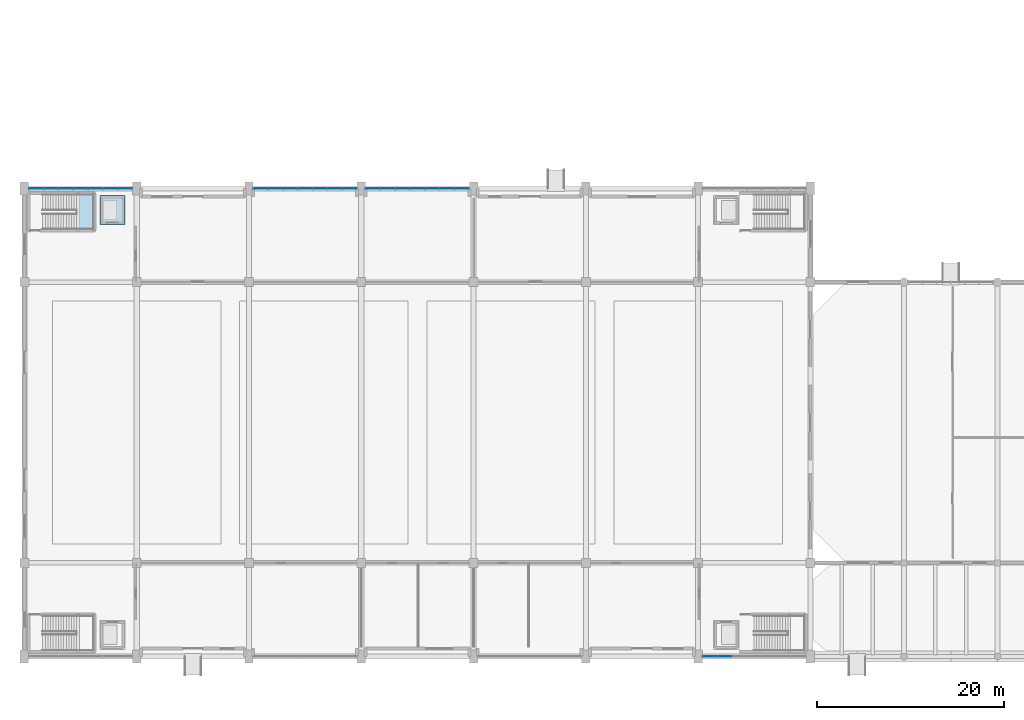
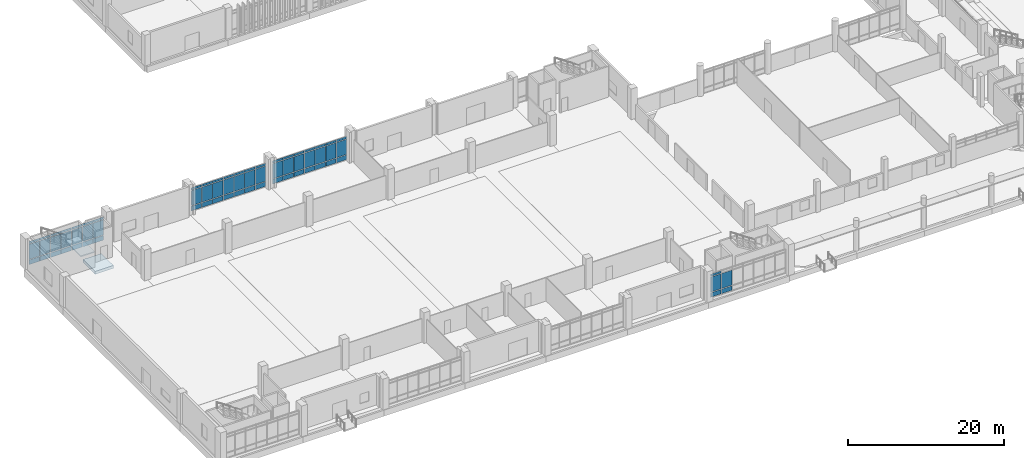
# One storey, part 61 of 87: 68 plates, 2 slabs, 5 elements without a shape of their own.
"""IFC4 building model written with IfcOpenShell, lengths in metres."""

from ifc_helpers import new_model, si_unit, direction, frame, origin, origin_2d, place, context, subcontext, project, spatial, polyline, rectangle, outline, extrude, material, layer, layer_set, type_object, element, aggregate, save


model = new_model("IFC4")

# Units and contexts
model_context = context("Model", 3, precision=1e-05, world=origin(), true_north=direction((0.0, 1.0)))
body_context = subcontext(model_context, "Body", "Model", "MODEL_VIEW")
ifc_project = project(units=[si_unit("LENGTHUNIT", "METRE"), si_unit("AREAUNIT", "SQUARE_METRE"), si_unit("VOLUMEUNIT", "CUBIC_METRE"), si_unit("PLANEANGLEUNIT", "RADIAN"), si_unit("MASSUNIT", "GRAM", prefix="KILO")], contexts=[model_context])

# Site, building, storey
site_placement = place(None, origin())
site = spatial("IfcSite", under=ifc_project, at=site_placement, CompositionType="ELEMENT")
building_placement = place(site_placement, origin())
building = spatial("IfcBuilding", under=site, at=building_placement, Name="Mersad Railyard Sports Hall", CompositionType="ELEMENT")
storey_placement = place(building_placement, origin())
storey = spatial("IfcBuildingStorey", under=building, at=storey_placement, Name="L00", CompositionType="ELEMENT", Elevation=0.0)

# Curtain wall, plates
ifc_material_1 = material(Name="Aluminium 6063-T6", Category="aluminium")
ifc_layer_1 = layer(ifc_material_1, 0.199951171875)
ifc_layer_set_1 = layer_set([ifc_layer_1], Name="Aluminium 6063-T6")
curtain_wall_type = type_object("IfcCurtainWallType", Name="ARC-CW-CW01", PredefinedType="USERDEFINED", material=ifc_layer_set_1)
curtain_wall_1_placement = place(storey_placement, origin())
curtain_wall_1 = element("IfcCurtainWall", 1, at=curtain_wall_1_placement, inside=storey, type_object=curtain_wall_type, Name="Curtain wall CW01-0003", ObjectType="CURTAIN WALL", PredefinedType="USERDEFINED")
ifc_material_2 = material(Name="Solar-control glass", Category="glass")
ifc_layer_2 = layer(ifc_material_2, 0.028076171875)
ifc_layer_set_2 = layer_set([ifc_layer_2], Name="Solar-control glass")
plate_type = type_object("IfcPlateType", Name="ARC-CW-PNL01", PredefinedType="CURTAIN_PANEL", material=ifc_layer_set_2)
plate_1_placement = place(storey_placement, frame((8.260009765625, 53.5, 0.0849609375), z_axis=(0.0, 0.0, 1.0), x_axis=(1.0, 0.0, 0.0)))
plate_1 = element("IfcPlate", 2, at=plate_1_placement, type_object=plate_type, Name="CW01 Glazed panel 1-1", PredefinedType="CURTAIN_PANEL", context=body_context, shape_type="SweptSolid", body=[
    extrude(rectangle(XDim=1.535888671875, YDim=0.028076171875, at=origin_2d()), origin(), (0.0, 0.0, 1.0), 0.719970703125),
])
plate_2_placement = place(storey_placement, frame((8.260009765625, 53.5, 0.89501953125), z_axis=(0.0, 0.0, 1.0), x_axis=(1.0, 0.0, 0.0)))
plate_2 = element("IfcPlate", 3, at=plate_2_placement, type_object=plate_type, Name="CW01 Glazed panel 1-2", PredefinedType="CURTAIN_PANEL", context=body_context, shape_type="SweptSolid", body=[
    extrude(rectangle(XDim=1.535888671875, YDim=0.028076171875, at=origin_2d()), origin(), (0.0, 0.0, 1.0), 2.360107421875),
])
plate_3_placement = place(storey_placement, frame((8.260009765625, 53.5, 3.344970703125), z_axis=(0.0, 0.0, 1.0), x_axis=(1.0, 0.0, 0.0)))
plate_3 = element("IfcPlate", 4, at=plate_3_placement, type_object=plate_type, Name="CW01 Glazed panel 1-3", PredefinedType="CURTAIN_PANEL", context=body_context, shape_type="SweptSolid", body=[
    extrude(rectangle(XDim=1.535888671875, YDim=0.028076171875, at=origin_2d()), origin(), (0.0, 0.0, 1.0), 0.35009765625),
])
plate_4_placement = place(storey_placement, frame((9.840087890625, 53.5, 0.0849609375), z_axis=(0.0, 0.0, 1.0), x_axis=(1.0, 0.0, 0.0)))
plate_4 = element("IfcPlate", 5, at=plate_4_placement, type_object=plate_type, Name="CW01 Glazed panel 2-1", PredefinedType="CURTAIN_PANEL", context=body_context, shape_type="SweptSolid", body=[
    extrude(rectangle(XDim=1.535888671875, YDim=0.028076171875, at=origin_2d()), origin(), (0.0, 0.0, 1.0), 0.719970703125),
])
plate_5_placement = place(storey_placement, frame((9.840087890625, 53.5, 0.89501953125), z_axis=(0.0, 0.0, 1.0), x_axis=(1.0, 0.0, 0.0)))
plate_5 = element("IfcPlate", 6, at=plate_5_placement, type_object=plate_type, Name="CW01 Glazed panel 2-2", PredefinedType="CURTAIN_PANEL", context=body_context, shape_type="SweptSolid", body=[
    extrude(rectangle(XDim=1.535888671875, YDim=0.028076171875, at=origin_2d()), origin(), (0.0, 0.0, 1.0), 2.360107421875),
])
plate_6_placement = place(storey_placement, frame((9.840087890625, 53.5, 3.344970703125), z_axis=(0.0, 0.0, 1.0), x_axis=(1.0, 0.0, 0.0)))
plate_6 = element("IfcPlate", 7, at=plate_6_placement, type_object=plate_type, Name="CW01 Glazed panel 2-3", PredefinedType="CURTAIN_PANEL", context=body_context, shape_type="SweptSolid", body=[
    extrude(rectangle(XDim=1.535888671875, YDim=0.028076171875, at=origin_2d()), origin(), (0.0, 0.0, 1.0), 0.35009765625),
])
plate_7_placement = place(storey_placement, frame((11.419921875, 53.5, 0.0849609375), z_axis=(0.0, 0.0, 1.0), x_axis=(1.0, 0.0, 0.0)))
plate_7 = element("IfcPlate", 8, at=plate_7_placement, type_object=plate_type, Name="CW01 Glazed panel 3-1", PredefinedType="CURTAIN_PANEL", context=body_context, shape_type="SweptSolid", body=[
    extrude(rectangle(XDim=1.535888671875, YDim=0.028076171875, at=origin_2d()), origin(), (0.0, 0.0, 1.0), 0.719970703125),
])
plate_8_placement = place(storey_placement, frame((11.419921875, 53.5, 0.89501953125), z_axis=(0.0, 0.0, 1.0), x_axis=(1.0, 0.0, 0.0)))
plate_8 = element("IfcPlate", 9, at=plate_8_placement, type_object=plate_type, Name="CW01 Glazed panel 3-2", PredefinedType="CURTAIN_PANEL", context=body_context, shape_type="SweptSolid", body=[
    extrude(rectangle(XDim=1.535888671875, YDim=0.028076171875, at=origin_2d()), origin(), (0.0, 0.0, 1.0), 2.360107421875),
])
plate_9_placement = place(storey_placement, frame((11.419921875, 53.5, 3.344970703125), z_axis=(0.0, 0.0, 1.0), x_axis=(1.0, 0.0, 0.0)))
plate_9 = element("IfcPlate", 10, at=plate_9_placement, type_object=plate_type, Name="CW01 Glazed panel 3-3", PredefinedType="CURTAIN_PANEL", context=body_context, shape_type="SweptSolid", body=[
    extrude(rectangle(XDim=1.535888671875, YDim=0.028076171875, at=origin_2d()), origin(), (0.0, 0.0, 1.0), 0.35009765625),
])
plate_10_placement = place(storey_placement, frame((13.0, 53.5, 0.0849609375), z_axis=(0.0, 0.0, 1.0), x_axis=(1.0, 0.0, 0.0)))
plate_10 = element("IfcPlate", 11, at=plate_10_placement, type_object=plate_type, Name="CW01 Glazed panel 4-1", PredefinedType="CURTAIN_PANEL", context=body_context, shape_type="SweptSolid", body=[
    extrude(rectangle(XDim=1.535888671875, YDim=0.028076171875, at=origin_2d()), origin(), (0.0, 0.0, 1.0), 0.719970703125),
])
plate_11_placement = place(storey_placement, frame((13.0, 53.5, 0.89501953125), z_axis=(0.0, 0.0, 1.0), x_axis=(1.0, 0.0, 0.0)))
plate_11 = element("IfcPlate", 12, at=plate_11_placement, type_object=plate_type, Name="CW01 Glazed panel 4-2", PredefinedType="CURTAIN_PANEL", context=body_context, shape_type="SweptSolid", body=[
    extrude(rectangle(XDim=1.535888671875, YDim=0.028076171875, at=origin_2d()), origin(), (0.0, 0.0, 1.0), 2.360107421875),
])
plate_12_placement = place(storey_placement, frame((13.0, 53.5, 3.344970703125), z_axis=(0.0, 0.0, 1.0), x_axis=(1.0, 0.0, 0.0)))
plate_12 = element("IfcPlate", 13, at=plate_12_placement, type_object=plate_type, Name="CW01 Glazed panel 4-3", PredefinedType="CURTAIN_PANEL", context=body_context, shape_type="SweptSolid", body=[
    extrude(rectangle(XDim=1.535888671875, YDim=0.028076171875, at=origin_2d()), origin(), (0.0, 0.0, 1.0), 0.35009765625),
])
plate_13_placement = place(storey_placement, frame((14.580078125, 53.5, 0.0849609375), z_axis=(0.0, 0.0, 1.0), x_axis=(1.0, 0.0, 0.0)))
plate_13 = element("IfcPlate", 14, at=plate_13_placement, type_object=plate_type, Name="CW01 Glazed panel 5-1", PredefinedType="CURTAIN_PANEL", context=body_context, shape_type="SweptSolid", body=[
    extrude(rectangle(XDim=1.535888671875, YDim=0.028076171875, at=origin_2d()), origin(), (0.0, 0.0, 1.0), 0.719970703125),
])
plate_14_placement = place(storey_placement, frame((14.580078125, 53.5, 0.89501953125), z_axis=(0.0, 0.0, 1.0), x_axis=(1.0, 0.0, 0.0)))
plate_14 = element("IfcPlate", 15, at=plate_14_placement, type_object=plate_type, Name="CW01 Glazed panel 5-2", PredefinedType="CURTAIN_PANEL", context=body_context, shape_type="SweptSolid", body=[
    extrude(rectangle(XDim=1.535888671875, YDim=0.028076171875, at=origin_2d()), origin(), (0.0, 0.0, 1.0), 2.360107421875),
])
plate_15_placement = place(storey_placement, frame((14.580078125, 53.5, 3.344970703125), z_axis=(0.0, 0.0, 1.0), x_axis=(1.0, 0.0, 0.0)))
plate_15 = element("IfcPlate", 16, at=plate_15_placement, type_object=plate_type, Name="CW01 Glazed panel 5-3", PredefinedType="CURTAIN_PANEL", context=body_context, shape_type="SweptSolid", body=[
    extrude(rectangle(XDim=1.535888671875, YDim=0.028076171875, at=origin_2d()), origin(), (0.0, 0.0, 1.0), 0.35009765625),
])
plate_16_placement = place(storey_placement, frame((16.159912109375, 53.5, 0.0849609375), z_axis=(0.0, 0.0, 1.0), x_axis=(1.0, 0.0, 0.0)))
plate_16 = element("IfcPlate", 17, at=plate_16_placement, type_object=plate_type, Name="CW01 Glazed panel 6-1", PredefinedType="CURTAIN_PANEL", context=body_context, shape_type="SweptSolid", body=[
    extrude(rectangle(XDim=1.535888671875, YDim=0.028076171875, at=origin_2d()), origin(), (0.0, 0.0, 1.0), 0.719970703125),
])
plate_17_placement = place(storey_placement, frame((16.159912109375, 53.5, 0.89501953125), z_axis=(0.0, 0.0, 1.0), x_axis=(1.0, 0.0, 0.0)))
plate_17 = element("IfcPlate", 18, at=plate_17_placement, type_object=plate_type, Name="CW01 Glazed panel 6-2", PredefinedType="CURTAIN_PANEL", context=body_context, shape_type="SweptSolid", body=[
    extrude(rectangle(XDim=1.535888671875, YDim=0.028076171875, at=origin_2d()), origin(), (0.0, 0.0, 1.0), 2.360107421875),
])
plate_18_placement = place(storey_placement, frame((16.159912109375, 53.5, 3.344970703125), z_axis=(0.0, 0.0, 1.0), x_axis=(1.0, 0.0, 0.0)))
plate_18 = element("IfcPlate", 19, at=plate_18_placement, type_object=plate_type, Name="CW01 Glazed panel 6-3", PredefinedType="CURTAIN_PANEL", context=body_context, shape_type="SweptSolid", body=[
    extrude(rectangle(XDim=1.535888671875, YDim=0.028076171875, at=origin_2d()), origin(), (0.0, 0.0, 1.0), 0.35009765625),
])
plate_19_placement = place(storey_placement, frame((17.739990234375, 53.5, 0.0849609375), z_axis=(0.0, 0.0, 1.0), x_axis=(1.0, 0.0, 0.0)))
plate_19 = element("IfcPlate", 20, at=plate_19_placement, type_object=plate_type, Name="CW01 Glazed panel 7-1", PredefinedType="CURTAIN_PANEL", context=body_context, shape_type="SweptSolid", body=[
    extrude(rectangle(XDim=1.535888671875, YDim=0.028076171875, at=origin_2d()), origin(), (0.0, 0.0, 1.0), 0.719970703125),
])
plate_20_placement = place(storey_placement, frame((17.739990234375, 53.5, 0.89501953125), z_axis=(0.0, 0.0, 1.0), x_axis=(1.0, 0.0, 0.0)))
plate_20 = element("IfcPlate", 21, at=plate_20_placement, type_object=plate_type, Name="CW01 Glazed panel 7-2", PredefinedType="CURTAIN_PANEL", context=body_context, shape_type="SweptSolid", body=[
    extrude(rectangle(XDim=1.535888671875, YDim=0.028076171875, at=origin_2d()), origin(), (0.0, 0.0, 1.0), 2.360107421875),
])
plate_21_placement = place(storey_placement, frame((17.739990234375, 53.5, 3.344970703125), z_axis=(0.0, 0.0, 1.0), x_axis=(1.0, 0.0, 0.0)))
plate_21 = element("IfcPlate", 22, at=plate_21_placement, type_object=plate_type, Name="CW01 Glazed panel 7-3", PredefinedType="CURTAIN_PANEL", context=body_context, shape_type="SweptSolid", body=[
    extrude(rectangle(XDim=1.535888671875, YDim=0.028076171875, at=origin_2d()), origin(), (0.0, 0.0, 1.0), 0.35009765625),
])
aggregate(curtain_wall_1, [plate_1, plate_2, plate_3, plate_4, plate_5, plate_6, plate_7, plate_8, plate_9, plate_10, plate_11, plate_12, plate_13, plate_14, plate_15, plate_16, plate_17, plate_18, plate_19, plate_20, plate_21])

curtain_wall_2_placement = place(storey_placement, origin())
curtain_wall_2 = element("IfcCurtainWall", 23, at=curtain_wall_2_placement, inside=storey, type_object=curtain_wall_type, Name="Curtain wall CW01-0009", ObjectType="CURTAIN WALL", PredefinedType="USERDEFINED")
plate_22_placement = place(storey_placement, frame((32.260009765625, 53.5, 0.0849609375), z_axis=(0.0, 0.0, 1.0), x_axis=(1.0, 0.0, 0.0)))
plate_22 = element("IfcPlate", 24, at=plate_22_placement, type_object=plate_type, Name="CW01 Glazed panel 1-1", PredefinedType="CURTAIN_PANEL", context=body_context, shape_type="SweptSolid", body=[
    extrude(rectangle(XDim=1.535888671875, YDim=0.028076171875, at=origin_2d()), origin(), (0.0, 0.0, 1.0), 0.719970703125),
])
plate_23_placement = place(storey_placement, frame((32.260009765625, 53.5, 0.89501953125), z_axis=(0.0, 0.0, 1.0), x_axis=(1.0, 0.0, 0.0)))
plate_23 = element("IfcPlate", 25, at=plate_23_placement, type_object=plate_type, Name="CW01 Glazed panel 1-2", PredefinedType="CURTAIN_PANEL", context=body_context, shape_type="SweptSolid", body=[
    extrude(rectangle(XDim=1.535888671875, YDim=0.028076171875, at=origin_2d()), origin(), (0.0, 0.0, 1.0), 2.360107421875),
])
plate_24_placement = place(storey_placement, frame((32.260009765625, 53.5, 3.344970703125), z_axis=(0.0, 0.0, 1.0), x_axis=(1.0, 0.0, 0.0)))
plate_24 = element("IfcPlate", 26, at=plate_24_placement, type_object=plate_type, Name="CW01 Glazed panel 1-3", PredefinedType="CURTAIN_PANEL", context=body_context, shape_type="SweptSolid", body=[
    extrude(rectangle(XDim=1.535888671875, YDim=0.028076171875, at=origin_2d()), origin(), (0.0, 0.0, 1.0), 0.35009765625),
])
plate_25_placement = place(storey_placement, frame((33.840087890625, 53.5, 0.0849609375), z_axis=(0.0, 0.0, 1.0), x_axis=(1.0, 0.0, 0.0)))
plate_25 = element("IfcPlate", 27, at=plate_25_placement, type_object=plate_type, Name="CW01 Glazed panel 2-1", PredefinedType="CURTAIN_PANEL", context=body_context, shape_type="SweptSolid", body=[
    extrude(rectangle(XDim=1.535888671875, YDim=0.028076171875, at=origin_2d()), origin(), (0.0, 0.0, 1.0), 0.719970703125),
])
plate_26_placement = place(storey_placement, frame((33.840087890625, 53.5, 0.89501953125), z_axis=(0.0, 0.0, 1.0), x_axis=(1.0, 0.0, 0.0)))
plate_26 = element("IfcPlate", 28, at=plate_26_placement, type_object=plate_type, Name="CW01 Glazed panel 2-2", PredefinedType="CURTAIN_PANEL", context=body_context, shape_type="SweptSolid", body=[
    extrude(rectangle(XDim=1.535888671875, YDim=0.028076171875, at=origin_2d()), origin(), (0.0, 0.0, 1.0), 2.360107421875),
])
plate_27_placement = place(storey_placement, frame((33.840087890625, 53.5, 3.344970703125), z_axis=(0.0, 0.0, 1.0), x_axis=(1.0, 0.0, 0.0)))
plate_27 = element("IfcPlate", 29, at=plate_27_placement, type_object=plate_type, Name="CW01 Glazed panel 2-3", PredefinedType="CURTAIN_PANEL", context=body_context, shape_type="SweptSolid", body=[
    extrude(rectangle(XDim=1.535888671875, YDim=0.028076171875, at=origin_2d()), origin(), (0.0, 0.0, 1.0), 0.35009765625),
])
plate_28_placement = place(storey_placement, frame((35.419921875, 53.5, 0.0849609375), z_axis=(0.0, 0.0, 1.0), x_axis=(1.0, 0.0, 0.0)))
plate_28 = element("IfcPlate", 30, at=plate_28_placement, type_object=plate_type, Name="CW01 Glazed panel 3-1", PredefinedType="CURTAIN_PANEL", context=body_context, shape_type="SweptSolid", body=[
    extrude(rectangle(XDim=1.535888671875, YDim=0.028076171875, at=origin_2d()), origin(), (0.0, 0.0, 1.0), 0.719970703125),
])
plate_29_placement = place(storey_placement, frame((35.419921875, 53.5, 0.89501953125), z_axis=(0.0, 0.0, 1.0), x_axis=(1.0, 0.0, 0.0)))
plate_29 = element("IfcPlate", 31, at=plate_29_placement, type_object=plate_type, Name="CW01 Glazed panel 3-2", PredefinedType="CURTAIN_PANEL", context=body_context, shape_type="SweptSolid", body=[
    extrude(rectangle(XDim=1.535888671875, YDim=0.028076171875, at=origin_2d()), origin(), (0.0, 0.0, 1.0), 2.360107421875),
])
plate_30_placement = place(storey_placement, frame((35.419921875, 53.5, 3.344970703125), z_axis=(0.0, 0.0, 1.0), x_axis=(1.0, 0.0, 0.0)))
plate_30 = element("IfcPlate", 32, at=plate_30_placement, type_object=plate_type, Name="CW01 Glazed panel 3-3", PredefinedType="CURTAIN_PANEL", context=body_context, shape_type="SweptSolid", body=[
    extrude(rectangle(XDim=1.535888671875, YDim=0.028076171875, at=origin_2d()), origin(), (0.0, 0.0, 1.0), 0.35009765625),
])
plate_31_placement = place(storey_placement, frame((37.0, 53.5, 0.0849609375), z_axis=(0.0, 0.0, 1.0), x_axis=(1.0, 0.0, 0.0)))
plate_31 = element("IfcPlate", 33, at=plate_31_placement, type_object=plate_type, Name="CW01 Glazed panel 4-1", PredefinedType="CURTAIN_PANEL", context=body_context, shape_type="SweptSolid", body=[
    extrude(rectangle(XDim=1.535888671875, YDim=0.028076171875, at=origin_2d()), origin(), (0.0, 0.0, 1.0), 0.719970703125),
])
plate_32_placement = place(storey_placement, frame((37.0, 53.5, 0.89501953125), z_axis=(0.0, 0.0, 1.0), x_axis=(1.0, 0.0, 0.0)))
plate_32 = element("IfcPlate", 34, at=plate_32_placement, type_object=plate_type, Name="CW01 Glazed panel 4-2", PredefinedType="CURTAIN_PANEL", context=body_context, shape_type="SweptSolid", body=[
    extrude(rectangle(XDim=1.535888671875, YDim=0.028076171875, at=origin_2d()), origin(), (0.0, 0.0, 1.0), 2.360107421875),
])
plate_33_placement = place(storey_placement, frame((37.0, 53.5, 3.344970703125), z_axis=(0.0, 0.0, 1.0), x_axis=(1.0, 0.0, 0.0)))
plate_33 = element("IfcPlate", 35, at=plate_33_placement, type_object=plate_type, Name="CW01 Glazed panel 4-3", PredefinedType="CURTAIN_PANEL", context=body_context, shape_type="SweptSolid", body=[
    extrude(rectangle(XDim=1.535888671875, YDim=0.028076171875, at=origin_2d()), origin(), (0.0, 0.0, 1.0), 0.35009765625),
])
plate_34_placement = place(storey_placement, frame((38.580078125, 53.5, 0.0849609375), z_axis=(0.0, 0.0, 1.0), x_axis=(1.0, 0.0, 0.0)))
plate_34 = element("IfcPlate", 36, at=plate_34_placement, type_object=plate_type, Name="CW01 Glazed panel 5-1", PredefinedType="CURTAIN_PANEL", context=body_context, shape_type="SweptSolid", body=[
    extrude(rectangle(XDim=1.535888671875, YDim=0.028076171875, at=origin_2d()), origin(), (0.0, 0.0, 1.0), 0.719970703125),
])
plate_35_placement = place(storey_placement, frame((38.580078125, 53.5, 0.89501953125), z_axis=(0.0, 0.0, 1.0), x_axis=(1.0, 0.0, 0.0)))
plate_35 = element("IfcPlate", 37, at=plate_35_placement, type_object=plate_type, Name="CW01 Glazed panel 5-2", PredefinedType="CURTAIN_PANEL", context=body_context, shape_type="SweptSolid", body=[
    extrude(rectangle(XDim=1.535888671875, YDim=0.028076171875, at=origin_2d()), origin(), (0.0, 0.0, 1.0), 2.360107421875),
])
plate_36_placement = place(storey_placement, frame((38.580078125, 53.5, 3.344970703125), z_axis=(0.0, 0.0, 1.0), x_axis=(1.0, 0.0, 0.0)))
plate_36 = element("IfcPlate", 38, at=plate_36_placement, type_object=plate_type, Name="CW01 Glazed panel 5-3", PredefinedType="CURTAIN_PANEL", context=body_context, shape_type="SweptSolid", body=[
    extrude(rectangle(XDim=1.535888671875, YDim=0.028076171875, at=origin_2d()), origin(), (0.0, 0.0, 1.0), 0.35009765625),
])
plate_37_placement = place(storey_placement, frame((40.159912109375, 53.5, 0.0849609375), z_axis=(0.0, 0.0, 1.0), x_axis=(1.0, 0.0, 0.0)))
plate_37 = element("IfcPlate", 39, at=plate_37_placement, type_object=plate_type, Name="CW01 Glazed panel 6-1", PredefinedType="CURTAIN_PANEL", context=body_context, shape_type="SweptSolid", body=[
    extrude(rectangle(XDim=1.535888671875, YDim=0.028076171875, at=origin_2d()), origin(), (0.0, 0.0, 1.0), 0.719970703125),
])
plate_38_placement = place(storey_placement, frame((40.159912109375, 53.5, 0.89501953125), z_axis=(0.0, 0.0, 1.0), x_axis=(1.0, 0.0, 0.0)))
plate_38 = element("IfcPlate", 40, at=plate_38_placement, type_object=plate_type, Name="CW01 Glazed panel 6-2", PredefinedType="CURTAIN_PANEL", context=body_context, shape_type="SweptSolid", body=[
    extrude(rectangle(XDim=1.535888671875, YDim=0.028076171875, at=origin_2d()), origin(), (0.0, 0.0, 1.0), 2.360107421875),
])
plate_39_placement = place(storey_placement, frame((40.159912109375, 53.5, 3.344970703125), z_axis=(0.0, 0.0, 1.0), x_axis=(1.0, 0.0, 0.0)))
plate_39 = element("IfcPlate", 41, at=plate_39_placement, type_object=plate_type, Name="CW01 Glazed panel 6-3", PredefinedType="CURTAIN_PANEL", context=body_context, shape_type="SweptSolid", body=[
    extrude(rectangle(XDim=1.535888671875, YDim=0.028076171875, at=origin_2d()), origin(), (0.0, 0.0, 1.0), 0.35009765625),
])
plate_40_placement = place(storey_placement, frame((41.739990234375, 53.5, 0.0849609375), z_axis=(0.0, 0.0, 1.0), x_axis=(1.0, 0.0, 0.0)))
plate_40 = element("IfcPlate", 42, at=plate_40_placement, type_object=plate_type, Name="CW01 Glazed panel 7-1", PredefinedType="CURTAIN_PANEL", context=body_context, shape_type="SweptSolid", body=[
    extrude(rectangle(XDim=1.535888671875, YDim=0.028076171875, at=origin_2d()), origin(), (0.0, 0.0, 1.0), 0.719970703125),
])
plate_41_placement = place(storey_placement, frame((41.739990234375, 53.5, 0.89501953125), z_axis=(0.0, 0.0, 1.0), x_axis=(1.0, 0.0, 0.0)))
plate_41 = element("IfcPlate", 43, at=plate_41_placement, type_object=plate_type, Name="CW01 Glazed panel 7-2", PredefinedType="CURTAIN_PANEL", context=body_context, shape_type="SweptSolid", body=[
    extrude(rectangle(XDim=1.535888671875, YDim=0.028076171875, at=origin_2d()), origin(), (0.0, 0.0, 1.0), 2.360107421875),
])
plate_42_placement = place(storey_placement, frame((41.739990234375, 53.5, 3.344970703125), z_axis=(0.0, 0.0, 1.0), x_axis=(1.0, 0.0, 0.0)))
plate_42 = element("IfcPlate", 44, at=plate_42_placement, type_object=plate_type, Name="CW01 Glazed panel 7-3", PredefinedType="CURTAIN_PANEL", context=body_context, shape_type="SweptSolid", body=[
    extrude(rectangle(XDim=1.535888671875, YDim=0.028076171875, at=origin_2d()), origin(), (0.0, 0.0, 1.0), 0.35009765625),
])
aggregate(curtain_wall_2, [plate_22, plate_23, plate_24, plate_25, plate_26, plate_27, plate_28, plate_29, plate_30, plate_31, plate_32, plate_33, plate_34, plate_35, plate_36, plate_37, plate_38, plate_39, plate_40, plate_41, plate_42])

curtain_wall_3_placement = place(storey_placement, origin())
curtain_wall_3 = element("IfcCurtainWall", 45, at=curtain_wall_3_placement, inside=storey, type_object=curtain_wall_type, Name="Curtain wall CW01-0012", ObjectType="CURTAIN WALL", PredefinedType="USERDEFINED")
plate_43_placement = place(storey_placement, frame((44.260009765625, 53.5, 0.0849609375), z_axis=(0.0, 0.0, 1.0), x_axis=(1.0, 0.0, 0.0)))
plate_43 = element("IfcPlate", 46, at=plate_43_placement, type_object=plate_type, Name="CW01 Glazed panel 1-1", PredefinedType="CURTAIN_PANEL", context=body_context, shape_type="SweptSolid", body=[
    extrude(rectangle(XDim=1.535888671875, YDim=0.028076171875, at=origin_2d()), origin(), (0.0, 0.0, 1.0), 0.719970703125),
])
plate_44_placement = place(storey_placement, frame((44.260009765625, 53.5, 0.89501953125), z_axis=(0.0, 0.0, 1.0), x_axis=(1.0, 0.0, 0.0)))
plate_44 = element("IfcPlate", 47, at=plate_44_placement, type_object=plate_type, Name="CW01 Glazed panel 1-2", PredefinedType="CURTAIN_PANEL", context=body_context, shape_type="SweptSolid", body=[
    extrude(rectangle(XDim=1.535888671875, YDim=0.028076171875, at=origin_2d()), origin(), (0.0, 0.0, 1.0), 2.360107421875),
])
plate_45_placement = place(storey_placement, frame((44.260009765625, 53.5, 3.344970703125), z_axis=(0.0, 0.0, 1.0), x_axis=(1.0, 0.0, 0.0)))
plate_45 = element("IfcPlate", 48, at=plate_45_placement, type_object=plate_type, Name="CW01 Glazed panel 1-3", PredefinedType="CURTAIN_PANEL", context=body_context, shape_type="SweptSolid", body=[
    extrude(rectangle(XDim=1.535888671875, YDim=0.028076171875, at=origin_2d()), origin(), (0.0, 0.0, 1.0), 0.35009765625),
])
plate_46_placement = place(storey_placement, frame((45.840087890625, 53.5, 0.0849609375), z_axis=(0.0, 0.0, 1.0), x_axis=(1.0, 0.0, 0.0)))
plate_46 = element("IfcPlate", 49, at=plate_46_placement, type_object=plate_type, Name="CW01 Glazed panel 2-1", PredefinedType="CURTAIN_PANEL", context=body_context, shape_type="SweptSolid", body=[
    extrude(rectangle(XDim=1.535888671875, YDim=0.028076171875, at=origin_2d()), origin(), (0.0, 0.0, 1.0), 0.719970703125),
])
plate_47_placement = place(storey_placement, frame((45.840087890625, 53.5, 0.89501953125), z_axis=(0.0, 0.0, 1.0), x_axis=(1.0, 0.0, 0.0)))
plate_47 = element("IfcPlate", 50, at=plate_47_placement, type_object=plate_type, Name="CW01 Glazed panel 2-2", PredefinedType="CURTAIN_PANEL", context=body_context, shape_type="SweptSolid", body=[
    extrude(rectangle(XDim=1.535888671875, YDim=0.028076171875, at=origin_2d()), origin(), (0.0, 0.0, 1.0), 2.360107421875),
])
plate_48_placement = place(storey_placement, frame((45.840087890625, 53.5, 3.344970703125), z_axis=(0.0, 0.0, 1.0), x_axis=(1.0, 0.0, 0.0)))
plate_48 = element("IfcPlate", 51, at=plate_48_placement, type_object=plate_type, Name="CW01 Glazed panel 2-3", PredefinedType="CURTAIN_PANEL", context=body_context, shape_type="SweptSolid", body=[
    extrude(rectangle(XDim=1.535888671875, YDim=0.028076171875, at=origin_2d()), origin(), (0.0, 0.0, 1.0), 0.35009765625),
])
plate_49_placement = place(storey_placement, frame((47.419921875, 53.5, 0.0849609375), z_axis=(0.0, 0.0, 1.0), x_axis=(1.0, 0.0, 0.0)))
plate_49 = element("IfcPlate", 52, at=plate_49_placement, type_object=plate_type, Name="CW01 Glazed panel 3-1", PredefinedType="CURTAIN_PANEL", context=body_context, shape_type="SweptSolid", body=[
    extrude(rectangle(XDim=1.535888671875, YDim=0.028076171875, at=origin_2d()), origin(), (0.0, 0.0, 1.0), 0.719970703125),
])
plate_50_placement = place(storey_placement, frame((47.419921875, 53.5, 0.89501953125), z_axis=(0.0, 0.0, 1.0), x_axis=(1.0, 0.0, 0.0)))
plate_50 = element("IfcPlate", 53, at=plate_50_placement, type_object=plate_type, Name="CW01 Glazed panel 3-2", PredefinedType="CURTAIN_PANEL", context=body_context, shape_type="SweptSolid", body=[
    extrude(rectangle(XDim=1.535888671875, YDim=0.028076171875, at=origin_2d()), origin(), (0.0, 0.0, 1.0), 2.360107421875),
])
plate_51_placement = place(storey_placement, frame((47.419921875, 53.5, 3.344970703125), z_axis=(0.0, 0.0, 1.0), x_axis=(1.0, 0.0, 0.0)))
plate_51 = element("IfcPlate", 54, at=plate_51_placement, type_object=plate_type, Name="CW01 Glazed panel 3-3", PredefinedType="CURTAIN_PANEL", context=body_context, shape_type="SweptSolid", body=[
    extrude(rectangle(XDim=1.535888671875, YDim=0.028076171875, at=origin_2d()), origin(), (0.0, 0.0, 1.0), 0.35009765625),
])
plate_52_placement = place(storey_placement, frame((49.0, 53.5, 0.0849609375), z_axis=(0.0, 0.0, 1.0), x_axis=(1.0, 0.0, 0.0)))
plate_52 = element("IfcPlate", 55, at=plate_52_placement, type_object=plate_type, Name="CW01 Glazed panel 4-1", PredefinedType="CURTAIN_PANEL", context=body_context, shape_type="SweptSolid", body=[
    extrude(rectangle(XDim=1.535888671875, YDim=0.028076171875, at=origin_2d()), origin(), (0.0, 0.0, 1.0), 0.719970703125),
])
plate_53_placement = place(storey_placement, frame((49.0, 53.5, 0.89501953125), z_axis=(0.0, 0.0, 1.0), x_axis=(1.0, 0.0, 0.0)))
plate_53 = element("IfcPlate", 56, at=plate_53_placement, type_object=plate_type, Name="CW01 Glazed panel 4-2", PredefinedType="CURTAIN_PANEL", context=body_context, shape_type="SweptSolid", body=[
    extrude(rectangle(XDim=1.535888671875, YDim=0.028076171875, at=origin_2d()), origin(), (0.0, 0.0, 1.0), 2.360107421875),
])
plate_54_placement = place(storey_placement, frame((49.0, 53.5, 3.344970703125), z_axis=(0.0, 0.0, 1.0), x_axis=(1.0, 0.0, 0.0)))
plate_54 = element("IfcPlate", 57, at=plate_54_placement, type_object=plate_type, Name="CW01 Glazed panel 4-3", PredefinedType="CURTAIN_PANEL", context=body_context, shape_type="SweptSolid", body=[
    extrude(rectangle(XDim=1.535888671875, YDim=0.028076171875, at=origin_2d()), origin(), (0.0, 0.0, 1.0), 0.35009765625),
])
plate_55_placement = place(storey_placement, frame((50.580078125, 53.5, 0.0849609375), z_axis=(0.0, 0.0, 1.0), x_axis=(1.0, 0.0, 0.0)))
plate_55 = element("IfcPlate", 58, at=plate_55_placement, type_object=plate_type, Name="CW01 Glazed panel 5-1", PredefinedType="CURTAIN_PANEL", context=body_context, shape_type="SweptSolid", body=[
    extrude(rectangle(XDim=1.535888671875, YDim=0.028076171875, at=origin_2d()), origin(), (0.0, 0.0, 1.0), 0.719970703125),
])
plate_56_placement = place(storey_placement, frame((50.580078125, 53.5, 0.89501953125), z_axis=(0.0, 0.0, 1.0), x_axis=(1.0, 0.0, 0.0)))
plate_56 = element("IfcPlate", 59, at=plate_56_placement, type_object=plate_type, Name="CW01 Glazed panel 5-2", PredefinedType="CURTAIN_PANEL", context=body_context, shape_type="SweptSolid", body=[
    extrude(rectangle(XDim=1.535888671875, YDim=0.028076171875, at=origin_2d()), origin(), (0.0, 0.0, 1.0), 2.360107421875),
])
plate_57_placement = place(storey_placement, frame((50.580078125, 53.5, 3.344970703125), z_axis=(0.0, 0.0, 1.0), x_axis=(1.0, 0.0, 0.0)))
plate_57 = element("IfcPlate", 60, at=plate_57_placement, type_object=plate_type, Name="CW01 Glazed panel 5-3", PredefinedType="CURTAIN_PANEL", context=body_context, shape_type="SweptSolid", body=[
    extrude(rectangle(XDim=1.535888671875, YDim=0.028076171875, at=origin_2d()), origin(), (0.0, 0.0, 1.0), 0.35009765625),
])
plate_58_placement = place(storey_placement, frame((52.159912109375, 53.5, 0.0849609375), z_axis=(0.0, 0.0, 1.0), x_axis=(1.0, 0.0, 0.0)))
plate_58 = element("IfcPlate", 61, at=plate_58_placement, type_object=plate_type, Name="CW01 Glazed panel 6-1", PredefinedType="CURTAIN_PANEL", context=body_context, shape_type="SweptSolid", body=[
    extrude(rectangle(XDim=1.535888671875, YDim=0.028076171875, at=origin_2d()), origin(), (0.0, 0.0, 1.0), 0.719970703125),
])
plate_59_placement = place(storey_placement, frame((52.159912109375, 53.5, 0.89501953125), z_axis=(0.0, 0.0, 1.0), x_axis=(1.0, 0.0, 0.0)))
plate_59 = element("IfcPlate", 62, at=plate_59_placement, type_object=plate_type, Name="CW01 Glazed panel 6-2", PredefinedType="CURTAIN_PANEL", context=body_context, shape_type="SweptSolid", body=[
    extrude(rectangle(XDim=1.535888671875, YDim=0.028076171875, at=origin_2d()), origin(), (0.0, 0.0, 1.0), 2.360107421875),
])
plate_60_placement = place(storey_placement, frame((52.159912109375, 53.5, 3.344970703125), z_axis=(0.0, 0.0, 1.0), x_axis=(1.0, 0.0, 0.0)))
plate_60 = element("IfcPlate", 63, at=plate_60_placement, type_object=plate_type, Name="CW01 Glazed panel 6-3", PredefinedType="CURTAIN_PANEL", context=body_context, shape_type="SweptSolid", body=[
    extrude(rectangle(XDim=1.535888671875, YDim=0.028076171875, at=origin_2d()), origin(), (0.0, 0.0, 1.0), 0.35009765625),
])
plate_61_placement = place(storey_placement, frame((53.739990234375, 53.5, 0.0849609375), z_axis=(0.0, 0.0, 1.0), x_axis=(1.0, 0.0, 0.0)))
plate_61 = element("IfcPlate", 64, at=plate_61_placement, type_object=plate_type, Name="CW01 Glazed panel 7-1", PredefinedType="CURTAIN_PANEL", context=body_context, shape_type="SweptSolid", body=[
    extrude(rectangle(XDim=1.535888671875, YDim=0.028076171875, at=origin_2d()), origin(), (0.0, 0.0, 1.0), 0.719970703125),
])
plate_62_placement = place(storey_placement, frame((53.739990234375, 53.5, 0.89501953125), z_axis=(0.0, 0.0, 1.0), x_axis=(1.0, 0.0, 0.0)))
plate_62 = element("IfcPlate", 65, at=plate_62_placement, type_object=plate_type, Name="CW01 Glazed panel 7-2", PredefinedType="CURTAIN_PANEL", context=body_context, shape_type="SweptSolid", body=[
    extrude(rectangle(XDim=1.535888671875, YDim=0.028076171875, at=origin_2d()), origin(), (0.0, 0.0, 1.0), 2.360107421875),
])
plate_63_placement = place(storey_placement, frame((53.739990234375, 53.5, 3.344970703125), z_axis=(0.0, 0.0, 1.0), x_axis=(1.0, 0.0, 0.0)))
plate_63 = element("IfcPlate", 66, at=plate_63_placement, type_object=plate_type, Name="CW01 Glazed panel 7-3", PredefinedType="CURTAIN_PANEL", context=body_context, shape_type="SweptSolid", body=[
    extrude(rectangle(XDim=1.535888671875, YDim=0.028076171875, at=origin_2d()), origin(), (0.0, 0.0, 1.0), 0.35009765625),
])
aggregate(curtain_wall_3, [plate_43, plate_44, plate_45, plate_46, plate_47, plate_48, plate_49, plate_50, plate_51, plate_52, plate_53, plate_54, plate_55, plate_56, plate_57, plate_58, plate_59, plate_60, plate_61, plate_62, plate_63])

curtain_wall_4_placement = place(storey_placement, origin())
curtain_wall_4 = element("IfcCurtainWall", 67, at=curtain_wall_4_placement, inside=storey, type_object=curtain_wall_type, Name="Curtain wall CW01-0019", ObjectType="CURTAIN WALL", PredefinedType="USERDEFINED")
plate_64_placement = place(storey_placement, frame((81.840087890625, 3.5, 0.0849609375), z_axis=(0.0, 0.0, 1.0), x_axis=(-1.0, 0.0, 0.0)))
plate_64 = element("IfcPlate", 68, at=plate_64_placement, type_object=plate_type, Name="CW01 Glazed panel 6-1", PredefinedType="CURTAIN_PANEL", context=body_context, shape_type="SweptSolid", body=[
    extrude(rectangle(XDim=1.535888671875, YDim=0.028076171875, at=origin_2d()), origin(), (0.0, 0.0, 1.0), 0.719970703125),
])
plate_65_placement = place(storey_placement, frame((81.840087890625, 3.5, 0.89501953125), z_axis=(0.0, 0.0, 1.0), x_axis=(-1.0, 0.0, 0.0)))
plate_65 = element("IfcPlate", 69, at=plate_65_placement, type_object=plate_type, Name="CW01 Glazed panel 6-2", PredefinedType="CURTAIN_PANEL", context=body_context, shape_type="SweptSolid", body=[
    extrude(rectangle(XDim=1.535888671875, YDim=0.028076171875, at=origin_2d()), origin(), (0.0, 0.0, 1.0), 2.360107421875),
])
plate_66_placement = place(storey_placement, frame((80.260009765625, 3.5, 0.0849609375), z_axis=(0.0, 0.0, 1.0), x_axis=(-1.0, 0.0, 0.0)))
plate_66 = element("IfcPlate", 70, at=plate_66_placement, type_object=plate_type, Name="CW01 Glazed panel 7-1", PredefinedType="CURTAIN_PANEL", context=body_context, shape_type="SweptSolid", body=[
    extrude(rectangle(XDim=1.535888671875, YDim=0.028076171875, at=origin_2d()), origin(), (0.0, 0.0, 1.0), 0.719970703125),
])
plate_67_placement = place(storey_placement, frame((80.260009765625, 3.5, 0.89501953125), z_axis=(0.0, 0.0, 1.0), x_axis=(-1.0, 0.0, 0.0)))
plate_67 = element("IfcPlate", 71, at=plate_67_placement, type_object=plate_type, Name="CW01 Glazed panel 7-2", PredefinedType="CURTAIN_PANEL", context=body_context, shape_type="SweptSolid", body=[
    extrude(rectangle(XDim=1.535888671875, YDim=0.028076171875, at=origin_2d()), origin(), (0.0, 0.0, 1.0), 2.360107421875),
])
plate_68_placement = place(storey_placement, frame((80.260009765625, 3.5, 3.344970703125), z_axis=(0.0, 0.0, 1.0), x_axis=(-1.0, 0.0, 0.0)))
plate_68 = element("IfcPlate", 72, at=plate_68_placement, type_object=plate_type, Name="CW01 Glazed panel 7-3", PredefinedType="CURTAIN_PANEL", context=body_context, shape_type="SweptSolid", body=[
    extrude(rectangle(XDim=1.535888671875, YDim=0.028076171875, at=origin_2d()), origin(), (0.0, 0.0, 1.0), 0.35009765625),
])
aggregate(curtain_wall_4, [plate_64, plate_65, plate_66, plate_67, plate_68])

# Slab
ifc_material_3 = material(Name="Concrete C40/50", Category="concrete")
ifc_layer_3 = layer(ifc_material_3, 0.449951171875)
ifc_layer_set_3 = layer_set([ifc_layer_3], Name="Concrete C40/50")
slab_type_1 = type_object("IfcSlabType", Name="STR-SL-BS02", PredefinedType="BASESLAB", material=ifc_layer_set_3)
slab_1_placement = place(storey_placement, frame((0.0, 0.0, -1.75)))
element("IfcSlab", 73, at=slab_1_placement, inside=storey, type_object=slab_type_1, Name="Lift PL-09 shaft pit base", PredefinedType="BASESLAB", context=body_context, shape_type="SweptSolid", body=[
    extrude(outline(polyline([(15.050048828125, 49.64990234375), (17.75, 49.64990234375), (17.75, 52.75), (15.050048828125, 52.75), (15.050048828125, 49.64990234375)])), origin(), (0.0, 0.0, 1.0), 0.449951171875),
])

# Stair, slab
stair_type = type_object("IfcStairType", Name="ARC-ST-ST07A", PredefinedType="HALF_TURN_STAIR", material=ifc_material_3)
stair_placement = place(storey_placement, origin())
stair = element("IfcStair", 74, at=stair_placement, inside=storey, type_object=stair_type, Name="NW Pavilion Pitch Stair L00-L01", PredefinedType="HALF_TURN_STAIR")
ifc_layer_4 = layer(ifc_material_3, 0.179931640625)
ifc_layer_set_4 = layer_set([ifc_layer_4], Name="Concrete C40/50")
slab_type_2 = type_object("IfcSlabType", Name="STR-SL-LD01", PredefinedType="LANDING", material=ifc_layer_set_4)
slab_2_placement = place(storey_placement, frame((0.0, 0.0, 2.219970703125)))
slab_2 = element("IfcSlab", 75, at=slab_2_placement, type_object=slab_type_2, Name="NW Pavilion Pitch Stair L00-L01 Half Landing", PredefinedType="LANDING", context=body_context, shape_type="SweptSolid", body=[
    extrude(outline(polyline([(12.530029296875, 48.97998046875), (14.570068359375, 48.97998046875), (14.570068359375, 53.02001953125), (12.530029296875, 53.02001953125), (12.530029296875, 48.97998046875)])), origin(), (0.0, 0.0, 1.0), 0.179931640625),
])
aggregate(stair, [slab_2])

save(model, "model.ifc")
